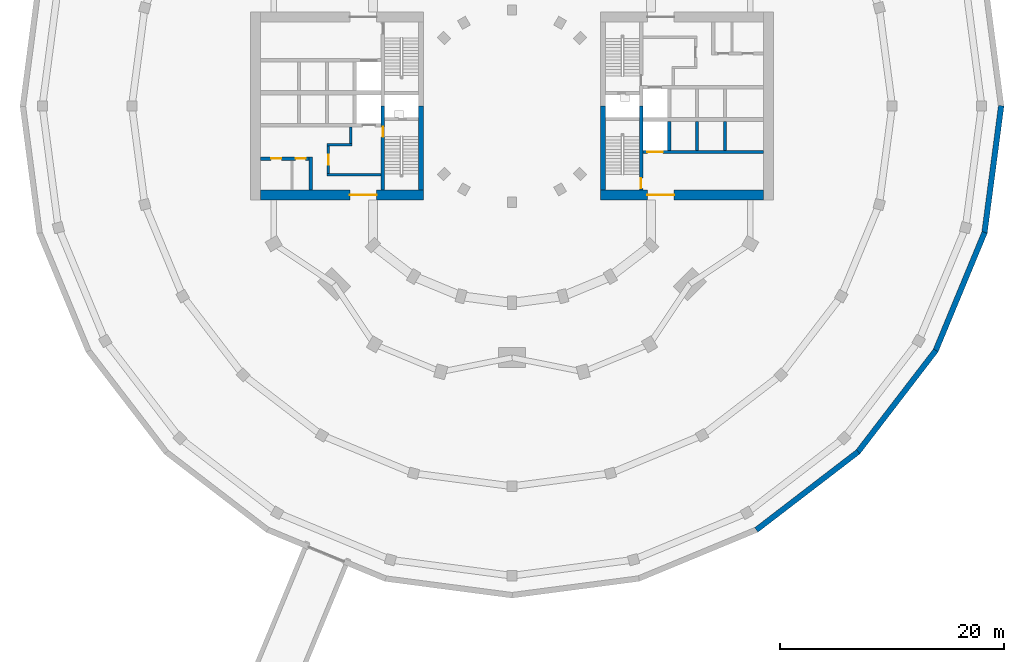
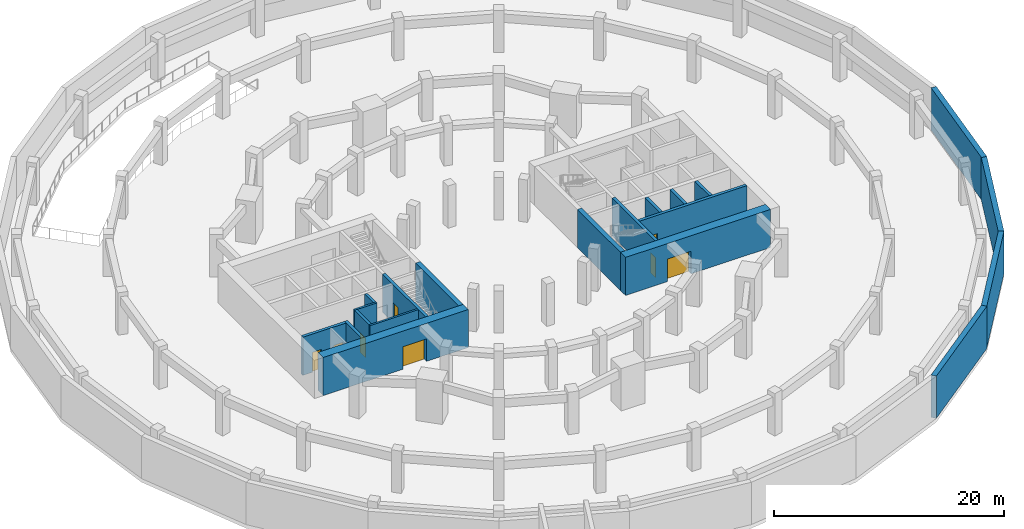
# One storey, part 3 of 7: 20 walls, 8 doors, 8 openings.
"""IFC4 building model written with IfcOpenShell, lengths in metres."""

from ifc_helpers import new_model, si_unit, direction, frame, frame_2d, origin, place, context, subcontext, project, spatial, rectangle, extrude, material, layer, layer_set, type_object, element, fill, save


model = new_model("IFC4")

# Units and contexts
model_context = context("Model", 3, precision=1e-05, world=origin(), true_north=direction((0.0, 1.0)))
body_context = subcontext(model_context, "Body", "Model", "MODEL_VIEW")
ifc_project = project(units=[si_unit("LENGTHUNIT", "METRE"), si_unit("AREAUNIT", "SQUARE_METRE"), si_unit("VOLUMEUNIT", "CUBIC_METRE"), si_unit("PLANEANGLEUNIT", "RADIAN"), si_unit("MASSUNIT", "GRAM", prefix="KILO")], contexts=[model_context])

# Site, building, storey
site_placement = place(None, origin())
site = spatial("IfcSite", under=ifc_project, at=site_placement, CompositionType="ELEMENT")
building_placement = place(site_placement, origin())
building = spatial("IfcBuilding", under=site, at=building_placement, Name="Torre Brocal", CompositionType="ELEMENT")
storey_placement = place(building_placement, frame((0.0, 0.0, -4.5)))
storey = spatial("IfcBuildingStorey", under=building, at=storey_placement, Name="B1", CompositionType="ELEMENT", Elevation=-4.5)

# Walls
ifc_material_1 = material(Name="Concrete C80", Category="concrete")
ifc_layer_1 = layer(ifc_material_1, 0.199951171875)
ifc_layer_set_1 = layer_set([ifc_layer_1], Name="Concrete C80")
wall_type_1 = type_object("IfcWallType", Name="CORE WALL 200 C80 UNDER 450 SLAB", PredefinedType="SHEAR", material=ifc_layer_set_1)
wall_1_placement = place(storey_placement, frame((68.300048828125, 68.85009765625, 0.0), z_axis=(0.0, 0.0, 1.0), x_axis=(-1.0, 0.0, 0.0)))
element("IfcWall", 1, at=wall_1_placement, inside=storey, type_object=wall_type_1, Name="Wall CW200-80-S450", PredefinedType="SHEAR", context=body_context, shape_type="SweptSolid", body=[
    extrude(rectangle(XDim=4.85009765625, YDim=0.199951171875, at=frame_2d((2.425048828125, 0.0))), origin(), (0.0, 0.0, 1.0), 4.050048828125),
])
wall_2_placement = place(storey_placement, frame((65.699951171875, 71.550048828125, 0.0), z_axis=(0.0, 0.0, 1.0), x_axis=(-1.0, 0.0, 0.0)))
element("IfcWall", 2, at=wall_2_placement, inside=storey, type_object=wall_type_1, Name="Wall CW200-80-S450", PredefinedType="SHEAR", context=body_context, shape_type="SweptSolid", body=[
    extrude(rectangle(XDim=2.25, YDim=0.199951171875, at=frame_2d((1.125, 0.0))), origin(), (0.0, 0.0, 1.0), 4.050048828125),
])

# Wall, opening, door
ifc_material_2 = material(Name="Concrete C80", Category="concrete")
ifc_layer_2 = layer(ifc_material_2, 0.25)
ifc_layer_set_2 = layer_set([ifc_layer_2], Name="Concrete C80")
wall_type_2 = type_object("IfcWallType", Name="CORE WALL 250 C80 UNDER 450 SLAB", PredefinedType="SHEAR", material=ifc_layer_set_2)
wall_3_placement = place(storey_placement, frame((63.574951171875, 71.449951171875, 0.0), z_axis=(0.0, 0.0, 1.0), x_axis=(0.0, -1.0, 0.0)))
wall_3 = element("IfcWall", 3, at=wall_3_placement, inside=storey, type_object=wall_type_2, Name="Wall CW250-80-S450", PredefinedType="SHEAR", context=body_context, shape_type="SweptSolid", body=[
    extrude(rectangle(XDim=2.5, YDim=0.25, at=frame_2d((1.25, 0.0))), origin(), (0.0, 0.0, 1.0), 4.050048828125),
])
opening_1_placement = place(wall_3_placement, frame((0.800048828125, 0.0, 0.0)))
opening_1 = element("IfcOpeningElement", 4, at=opening_1_placement, cuts=wall_3, Name="Opening W-D15", PredefinedType="OPENING", context=body_context, shape_type="SweptSolid", body=[
    extrude(rectangle(XDim=0.89990234375, YDim=2.10009765625, at=frame_2d((0.449951171875, 1.050048828125))), frame((0.0, 0.135009765625, 0.0), z_axis=(0.0, -1.0, 0.0), x_axis=(1.0, 0.0, 0.0)), (0.0, 0.0, 1.0), 0.27001953125),
])
ifc_material_3 = material(Name="Steel A653", Category="steel")
door_type_1 = type_object("IfcDoorType", Name="LOBBY DOOR FD120 900X2100", OperationType="SINGLE_SWING_RIGHT", PredefinedType="DOOR", material=ifc_material_3)
door_1_placement = place(opening_1_placement, origin())
door_1 = element("IfcDoor", 5, at=door_1_placement, inside=storey, type_object=door_type_1, Name="Door W-D15", OperationType="SINGLE_SWING_LEFT", OverallHeight=2.10009765625, OverallWidth=0.89990234375, PredefinedType="DOOR", context=body_context, shape_type="SweptSolid", body=[
    extrude(rectangle(XDim=0.89990234375, YDim=2.10009765625, at=frame_2d((0.449951171875, 1.050048828125))), frame((0.0, 0.02490234375, 0.0), z_axis=(0.0, -1.0, 0.0), x_axis=(1.0, 0.0, 0.0)), (0.0, 0.0, 1.0), 0.050048828125),
])
fill(opening_1, door_1)

# Wall
wall_4_placement = place(storey_placement, frame((65.574951171875, 73.14990234375, 0.0), z_axis=(0.0, 0.0, 1.0), x_axis=(0.0, -1.0, 0.0)))
element("IfcWall", 6, at=wall_4_placement, inside=storey, type_object=wall_type_2, Name="Wall CW250-80-S450", PredefinedType="SHEAR", context=body_context, shape_type="SweptSolid", body=[
    extrude(rectangle(XDim=1.5, YDim=0.25, at=frame_2d((0.75, 0.0))), origin(), (0.0, 0.0, 1.0), 4.050048828125),
])

# Wall, opening, door
ifc_material_4 = material(Name="Concrete C80", Category="concrete")
ifc_layer_3 = layer(ifc_material_4, 0.300048828125)
ifc_layer_set_3 = layer_set([ifc_layer_3], Name="Concrete C80")
wall_type_3 = type_object("IfcWallType", Name="CORE WALL 300 C80 UNDER 450 SLAB", PredefinedType="SHEAR", material=ifc_layer_set_3)
wall_5_placement = place(storey_placement, frame((91.550048828125, 67.5, 0.0), z_axis=(0.0, 0.0, 1.0), x_axis=(0.0, 1.0, 0.0)))
wall_5 = element("IfcWall", 7, at=wall_5_placement, inside=storey, type_object=wall_type_3, Name="Wall CW300-80-S450", PredefinedType="SHEAR", context=body_context, shape_type="SweptSolid", body=[
    extrude(rectangle(XDim=7.5, YDim=0.300048828125, at=frame_2d((3.75, 0.0))), origin(), (0.0, 0.0, 1.0), 4.050048828125),
])
opening_2_placement = place(wall_5_placement, frame((0.14990234375, 0.0, 0.0)))
opening_2 = element("IfcOpeningElement", 8, at=opening_2_placement, cuts=wall_5, Name="Opening E-D03", PredefinedType="OPENING", context=body_context, shape_type="SweptSolid", body=[
    extrude(rectangle(XDim=0.89990234375, YDim=2.10009765625, at=frame_2d((0.449951171875, 1.050048828125))), frame((0.0, 0.159912109375, 0.0), z_axis=(0.0, -1.0, 0.0), x_axis=(1.0, 0.0, 0.0)), (0.0, 0.0, 1.0), 0.320068359375),
])
ifc_material_5 = material(Name="Steel A653", Category="steel")
door_type_2 = type_object("IfcDoorType", Name="STAIR DOOR FD120 900X2100", OperationType="SINGLE_SWING_RIGHT", PredefinedType="DOOR", material=ifc_material_5)
door_2_placement = place(opening_2_placement, origin())
door_2 = element("IfcDoor", 9, at=door_2_placement, inside=storey, type_object=door_type_2, Name="Door E-D03", OperationType="SINGLE_SWING_LEFT", OverallHeight=2.10009765625, OverallWidth=0.89990234375, PredefinedType="DOOR", context=body_context, shape_type="SweptSolid", body=[
    extrude(rectangle(XDim=0.89990234375, YDim=2.10009765625, at=frame_2d((0.449951171875, 1.050048828125))), frame((0.0, 0.02490234375, 0.0), z_axis=(0.0, -1.0, 0.0), x_axis=(1.0, 0.0, 0.0)), (0.0, 0.0, 1.0), 0.050048828125),
])
fill(opening_2, door_2)

wall_6_placement = place(storey_placement, frame((91.699951171875, 70.89990234375, 0.0), z_axis=(0.0, 0.0, 1.0), x_axis=(1.0, 0.0, 0.0)))
wall_6 = element("IfcWall", 10, at=wall_6_placement, inside=storey, type_object=wall_type_3, Name="Wall CW300-80-S450", PredefinedType="SHEAR", context=body_context, shape_type="SweptSolid", body=[
    extrude(rectangle(XDim=10.800048828125, YDim=0.300048828125, at=frame_2d((5.39990234375, 0.0))), origin(), (0.0, 0.0, 1.0), 4.050048828125),
])
opening_3_placement = place(wall_6_placement, frame((0.39990234375, 0.0, 0.0)))
opening_3 = element("IfcOpeningElement", 11, at=opening_3_placement, cuts=wall_6, Name="Opening LD14", PredefinedType="OPENING", context=body_context, shape_type="SweptSolid", body=[
    extrude(rectangle(XDim=1.39990234375, YDim=2.10009765625, at=frame_2d((0.699951171875, 1.050048828125))), frame((0.0, 0.159912109375, 0.0), z_axis=(0.0, -1.0, 0.0), x_axis=(1.0, 0.0, 0.0)), (0.0, 0.0, 1.0), 0.320068359375),
])
ifc_material_6 = material(Name="Stainless steel AISI 316", Category="steel")
door_type_3 = type_object("IfcDoorType", Name="LIFT LANDING DOOR 1400X2100", OperationType="DOUBLE_DOOR_SLIDING", PredefinedType="DOOR", material=ifc_material_6)
door_3_placement = place(opening_3_placement, origin())
door_3 = element("IfcDoor", 12, at=door_3_placement, inside=storey, type_object=door_type_3, Name="Door LD14", OperationType="DOUBLE_DOOR_SLIDING", OverallHeight=2.10009765625, OverallWidth=1.39990234375, PredefinedType="DOOR", context=body_context, shape_type="SweptSolid", body=[
    extrude(rectangle(XDim=1.39990234375, YDim=2.10009765625, at=frame_2d((0.699951171875, 1.050048828125))), frame((0.0, 0.02490234375, 0.0), z_axis=(0.0, -1.0, 0.0), x_axis=(1.0, 0.0, 0.0)), (0.0, 0.0, 1.0), 0.050048828125),
])
fill(opening_3, door_3)

# Walls
for number, where, z_axis, x_axis, name in (
    (13, (94.050048828125, 71.050048828125, 0.0), (0.0, 0.0, 1.0), (0.0, 1.0, 0.0), "Wall CW300-80-S450"),
    (14, (96.550048828125, 71.050048828125, 0.0), (0.0, 0.0, 1.0), (0.0, 1.0, 0.0), "Wall CW300-80-S450"),
    (15, (99.050048828125, 71.050048828125, 0.0), (0.0, 0.0, 1.0), (0.0, 1.0, 0.0), "Wall CW300-80-S450"),
):
    element("IfcWall", number, at=place(storey_placement, frame(where, z_axis=z_axis, x_axis=x_axis)), inside=storey, type_object=wall_type_3, Name=name, PredefinedType="SHEAR", context=body_context, shape_type="SweptSolid", body=[
        extrude(rectangle(XDim=2.550048828125, YDim=0.300048828125, at=frame_2d((1.27490234375, 0.0))), origin(), (0.0, 0.0, 1.0), 4.050048828125),
    ])

# Wall, opening, door
wall_7_placement = place(storey_placement, frame((68.449951171875, 75.0, 0.0), z_axis=(0.0, 0.0, 1.0), x_axis=(0.0, -1.0, 0.0)))
wall_7 = element("IfcWall", 16, at=wall_7_placement, inside=storey, type_object=wall_type_3, Name="Wall CW300-80-S450", PredefinedType="SHEAR", context=body_context, shape_type="SweptSolid", body=[
    extrude(rectangle(XDim=7.5, YDim=0.300048828125, at=frame_2d((3.75, 0.0))), origin(), (0.0, 0.0, 1.0), 4.050048828125),
])
opening_4_placement = place(wall_7_placement, frame((1.85009765625, 0.0, 0.0)))
opening_4 = element("IfcOpeningElement", 17, at=opening_4_placement, cuts=wall_7, Name="Opening W-D02", PredefinedType="OPENING", context=body_context, shape_type="SweptSolid", body=[
    extrude(rectangle(XDim=0.89990234375, YDim=2.10009765625, at=frame_2d((0.449951171875, 1.050048828125))), frame((0.0, 0.159912109375, 0.0), z_axis=(0.0, -1.0, 0.0), x_axis=(1.0, 0.0, 0.0)), (0.0, 0.0, 1.0), 0.320068359375),
])
door_4_placement = place(opening_4_placement, origin())
door_4 = element("IfcDoor", 18, at=door_4_placement, inside=storey, type_object=door_type_2, Name="Door W-D02", OperationType="SINGLE_SWING_LEFT", OverallHeight=2.10009765625, OverallWidth=0.89990234375, PredefinedType="DOOR", context=body_context, shape_type="SweptSolid", body=[
    extrude(rectangle(XDim=0.89990234375, YDim=2.10009765625, at=frame_2d((0.449951171875, 1.050048828125))), frame((0.0, 0.02490234375, 0.0), z_axis=(0.0, -1.0, 0.0), x_axis=(1.0, 0.0, 0.0)), (0.0, 0.0, 1.0), 0.050048828125),
])
fill(opening_4, door_4)

# Wall
wall_8_placement = place(storey_placement, frame((62.0, 70.449951171875, 0.0), z_axis=(0.0, 0.0, 1.0), x_axis=(0.0, -1.0, 0.0)))
element("IfcWall", 19, at=wall_8_placement, inside=storey, type_object=wall_type_3, Name="Wall CW300-80-S450", PredefinedType="SHEAR", context=body_context, shape_type="SweptSolid", body=[
    extrude(rectangle(XDim=2.949951171875, YDim=0.300048828125, at=frame_2d((1.47509765625, 0.0))), origin(), (0.0, 0.0, 1.0), 4.050048828125),
])

# Wall, openings, doors
wall_9_placement = place(storey_placement, frame((61.85009765625, 70.300048828125, 0.0), z_axis=(0.0, 0.0, 1.0), x_axis=(-1.0, 0.0, 0.0)))
wall_9 = element("IfcWall", 20, at=wall_9_placement, inside=storey, type_object=wall_type_3, Name="Wall CW300-80-S450", PredefinedType="SHEAR", context=body_context, shape_type="SweptSolid", body=[
    extrude(rectangle(XDim=4.35009765625, YDim=0.300048828125, at=frame_2d((2.175048828125, 0.0))), origin(), (0.0, 0.0, 1.0), 4.050048828125),
])
opening_5_placement = place(wall_9_placement, frame((0.311279296875, 0.0, 0.0)))
opening_5 = element("IfcOpeningElement", 21, at=opening_5_placement, cuts=wall_9, Name="Opening W-D05", PredefinedType="OPENING", context=body_context, shape_type="SweptSolid", body=[
    extrude(rectangle(XDim=0.89990234375, YDim=2.10009765625, at=frame_2d((0.449951171875, 1.050048828125))), frame((0.0, 0.159912109375, 0.0), z_axis=(0.0, -1.0, 0.0), x_axis=(1.0, 0.0, 0.0)), (0.0, 0.0, 1.0), 0.320068359375),
])
opening_6_placement = place(wall_9_placement, frame((2.486083984375, 0.0, 0.0)))
opening_6 = element("IfcOpeningElement", 22, at=opening_6_placement, cuts=wall_9, Name="Opening W-D06", PredefinedType="OPENING", context=body_context, shape_type="SweptSolid", body=[
    extrude(rectangle(XDim=0.89990234375, YDim=2.10009765625, at=frame_2d((0.449951171875, 1.050048828125))), frame((0.0, 0.159912109375, 0.0), z_axis=(0.0, -1.0, 0.0), x_axis=(1.0, 0.0, 0.0)), (0.0, 0.0, 1.0), 0.320068359375),
])
ifc_material_7 = material(Name="Steel A653", Category="steel")
door_type_4 = type_object("IfcDoorType", Name="ROOM DOOR FD30S 900X2100", OperationType="SINGLE_SWING_LEFT", PredefinedType="DOOR", material=ifc_material_7)
door_5_placement = place(opening_5_placement, origin())
door_5 = element("IfcDoor", 23, at=door_5_placement, inside=storey, type_object=door_type_4, Name="Door W-D05", OperationType="SINGLE_SWING_RIGHT", OverallHeight=2.10009765625, OverallWidth=0.89990234375, PredefinedType="DOOR", context=body_context, shape_type="SweptSolid", body=[
    extrude(rectangle(XDim=0.89990234375, YDim=2.10009765625, at=frame_2d((0.449951171875, 1.050048828125))), frame((0.0, 0.02490234375, 0.0), z_axis=(0.0, -1.0, 0.0), x_axis=(1.0, 0.0, 0.0)), (0.0, 0.0, 1.0), 0.050048828125),
])
fill(opening_5, door_5)
door_6_placement = place(opening_6_placement, origin())
door_6 = element("IfcDoor", 24, at=door_6_placement, inside=storey, type_object=door_type_4, Name="Door W-D06", OperationType="SINGLE_SWING_LEFT", OverallHeight=2.10009765625, OverallWidth=0.89990234375, PredefinedType="DOOR", context=body_context, shape_type="SweptSolid", body=[
    extrude(rectangle(XDim=0.89990234375, YDim=2.10009765625, at=frame_2d((0.449951171875, 1.050048828125))), frame((0.0, 0.02490234375, 0.0), z_axis=(0.0, -1.0, 0.0), x_axis=(1.0, 0.0, 0.0)), (0.0, 0.0, 1.0), 0.050048828125),
])
fill(opening_6, door_6)

# Walls
ifc_material_8 = material(Name="Concrete C80", Category="concrete")
ifc_layer_4 = layer(ifc_material_8, 0.449951171875)
ifc_layer_set_4 = layer_set([ifc_layer_4], Name="Concrete C80")
wall_type_4 = type_object("IfcWallType", Name="CORE WALL 450 C80 UNDER 450 SLAB", PredefinedType="SHEAR", material=ifc_layer_set_4)
for number, where, z_axis, x_axis, name in (
    (25, (88.125, 67.5, 0.0), (0.0, 0.0, 1.0), (0.0, 1.0, 0.0), "Wall CW450-80-S450"),
    (26, (71.875, 75.0, 0.0), (0.0, 0.0, 1.0), (0.0, -1.0, 0.0), "Wall CW450-80-S450"),
):
    element("IfcWall", number, at=place(storey_placement, frame(where, z_axis=z_axis, x_axis=x_axis)), inside=storey, type_object=wall_type_4, Name=name, PredefinedType="SHEAR", context=body_context, shape_type="SweptSolid", body=[
        extrude(rectangle(XDim=7.5, YDim=0.449951171875, at=frame_2d((3.75, 0.0))), origin(), (0.0, 0.0, 1.0), 4.050048828125),
    ])

# Wall, opening, door
ifc_material_9 = material(Name="Concrete C80", Category="concrete")
ifc_layer_5 = layer(ifc_material_9, 0.89990234375)
ifc_layer_set_5 = layer_set([ifc_layer_5], Name="Concrete C80")
wall_type_5 = type_object("IfcWallType", Name="CORE WALL 900 C80 UNDER 450 SLAB", PredefinedType="SHEAR", material=ifc_layer_set_5)
wall_10_placement = place(storey_placement, frame((87.89990234375, 67.050048828125, 0.0), z_axis=(0.0, 0.0, 1.0), x_axis=(1.0, 0.0, 0.0)))
wall_10 = element("IfcWall", 27, at=wall_10_placement, inside=storey, type_object=wall_type_5, Name="Wall CW900-80-S450", PredefinedType="SHEAR", context=body_context, shape_type="SweptSolid", body=[
    extrude(rectangle(XDim=14.60009765625, YDim=0.89990234375, at=frame_2d((7.300048828125, 0.0))), origin(), (0.0, 0.0, 1.0), 4.050048828125),
])
opening_7_placement = place(wall_10_placement, frame((4.199951171875, 0.0, 0.0)))
opening_7 = element("IfcOpeningElement", 28, at=opening_7_placement, cuts=wall_10, Name="Opening E-D27", PredefinedType="OPENING", context=body_context, shape_type="SweptSolid", body=[
    extrude(rectangle(XDim=2.39990234375, YDim=2.39990234375, at=frame_2d((1.199951171875, 1.199951171875))), frame((0.0, 0.4599609375, 0.0), z_axis=(0.0, -1.0, 0.0), x_axis=(1.0, 0.0, 0.0)), (0.0, 0.0, 1.0), 0.919921875),
])
ifc_material_10 = material(Name="Steel A653", Category="steel")
door_type_5 = type_object("IfcDoorType", Name="DOUBLE FIRE DOOR FD90 2400X2400", OperationType="DOUBLE_DOOR_SINGLE_SWING", PredefinedType="DOOR", material=ifc_material_10)
door_7_placement = place(opening_7_placement, origin())
door_7 = element("IfcDoor", 29, at=door_7_placement, inside=storey, type_object=door_type_5, Name="Door E-D27", OperationType="DOUBLE_DOOR_SINGLE_SWING", OverallHeight=2.39990234375, OverallWidth=2.39990234375, PredefinedType="DOOR", context=body_context, shape_type="SweptSolid", body=[
    extrude(rectangle(XDim=2.39990234375, YDim=2.39990234375, at=frame_2d((1.199951171875, 1.199951171875))), frame((0.0, 0.02490234375, 0.0), z_axis=(0.0, -1.0, 0.0), x_axis=(1.0, 0.0, 0.0)), (0.0, 0.0, 1.0), 0.050048828125),
])
fill(opening_7, door_7)

wall_11_placement = place(storey_placement, frame((72.10009765625, 67.050048828125, 0.0), z_axis=(0.0, 0.0, 1.0), x_axis=(-1.0, 0.0, 0.0)))
wall_11 = element("IfcWall", 30, at=wall_11_placement, inside=storey, type_object=wall_type_5, Name="Wall CW900-80-S450", PredefinedType="SHEAR", context=body_context, shape_type="SweptSolid", body=[
    extrude(rectangle(XDim=14.60009765625, YDim=0.89990234375, at=frame_2d((7.300048828125, 0.0))), origin(), (0.0, 0.0, 1.0), 4.050048828125),
])
opening_8_placement = place(wall_11_placement, frame((4.199951171875, 0.0, 0.0)))
opening_8 = element("IfcOpeningElement", 31, at=opening_8_placement, cuts=wall_11, Name="Opening W-D24", PredefinedType="OPENING", context=body_context, shape_type="SweptSolid", body=[
    extrude(rectangle(XDim=2.39990234375, YDim=2.39990234375, at=frame_2d((1.199951171875, 1.199951171875))), frame((0.0, 0.4599609375, 0.0), z_axis=(0.0, -1.0, 0.0), x_axis=(1.0, 0.0, 0.0)), (0.0, 0.0, 1.0), 0.919921875),
])
door_8_placement = place(opening_8_placement, frame((2.39990234375, 0.0, 0.0), z_axis=(0.0, 0.0, 1.0), x_axis=(-1.0, 0.0, 0.0)))
door_8 = element("IfcDoor", 32, at=door_8_placement, inside=storey, type_object=door_type_5, Name="Door W-D24", OperationType="DOUBLE_DOOR_SINGLE_SWING", OverallHeight=2.39990234375, OverallWidth=2.39990234375, PredefinedType="DOOR", context=body_context, shape_type="SweptSolid", body=[
    extrude(rectangle(XDim=2.39990234375, YDim=2.39990234375, at=frame_2d((1.199951171875, 1.199951171875))), frame((0.0, 0.02490234375, 0.0), z_axis=(0.0, -1.0, 0.0), x_axis=(1.0, 0.0, 0.0)), (0.0, 0.0, 1.0), 0.050048828125),
])
fill(opening_8, door_8)

# Walls
ifc_material_11 = material(Name="Concrete C45", Category="concrete")
ifc_layer_6 = layer(ifc_material_11, 0.5)
ifc_layer_set_6 = layer_set([ifc_layer_6], Name="Concrete C45")
wall_type_6 = type_object("IfcWallType", Name="RC RETAINING WALL 500 C45", PredefinedType="STANDARD", material=ifc_layer_set_6)
for number, where, z_axis, x_axis, name in (
    (33, (101.847900390625, 37.09326171875, 0.0), (0.0, 0.0, 1.0), (0.793348000447, 0.608768387966, 0.0), "Wall RW-1"),
    (34, (110.914306640625, 44.03955078125, 0.0), (0.0, 0.0, 1.0), (0.608768387966, 0.793348000447, 0.0), "Wall RW-1"),
    (35, (117.874267578125, 53.095703125, 0.0), (0.0, 0.0, 1.0), (0.382679682269, 0.923881085843, 0.0), "Wall RW-1"),
):
    element("IfcWall", number, at=place(storey_placement, frame(where, z_axis=z_axis, x_axis=x_axis)), inside=storey, type_object=wall_type_6, Name=name, PredefinedType="STANDARD", context=body_context, shape_type="SweptSolid", body=[
        extrude(rectangle(XDim=11.486083984375, YDim=0.5, at=frame_2d((5.7431640625, 0.0))), origin(), (0.0, 0.0, 1.0), 4.5),
    ])
wall_12_placement = place(storey_placement, frame((122.2529296875, 63.64453125, 0.0), z_axis=(0.0, 0.0, 1.0), x_axis=(0.130524888474, 0.991445033014, 0.0)))
element("IfcWall", 36, at=wall_12_placement, inside=storey, type_object=wall_type_6, Name="Wall RW-1", PredefinedType="STANDARD", context=body_context, shape_type="SweptSolid", body=[
    extrude(rectangle(XDim=11.486328125, YDim=0.5, at=frame_2d((5.7431640625, 0.0))), origin(), (0.0, 0.0, 1.0), 4.5),
])

save(model, "model.ifc")
